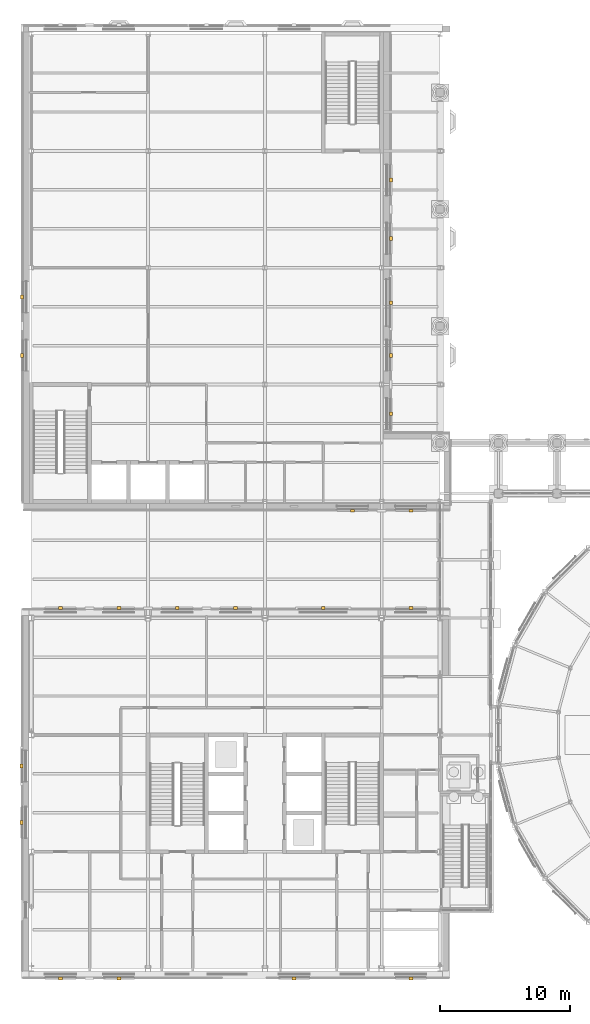
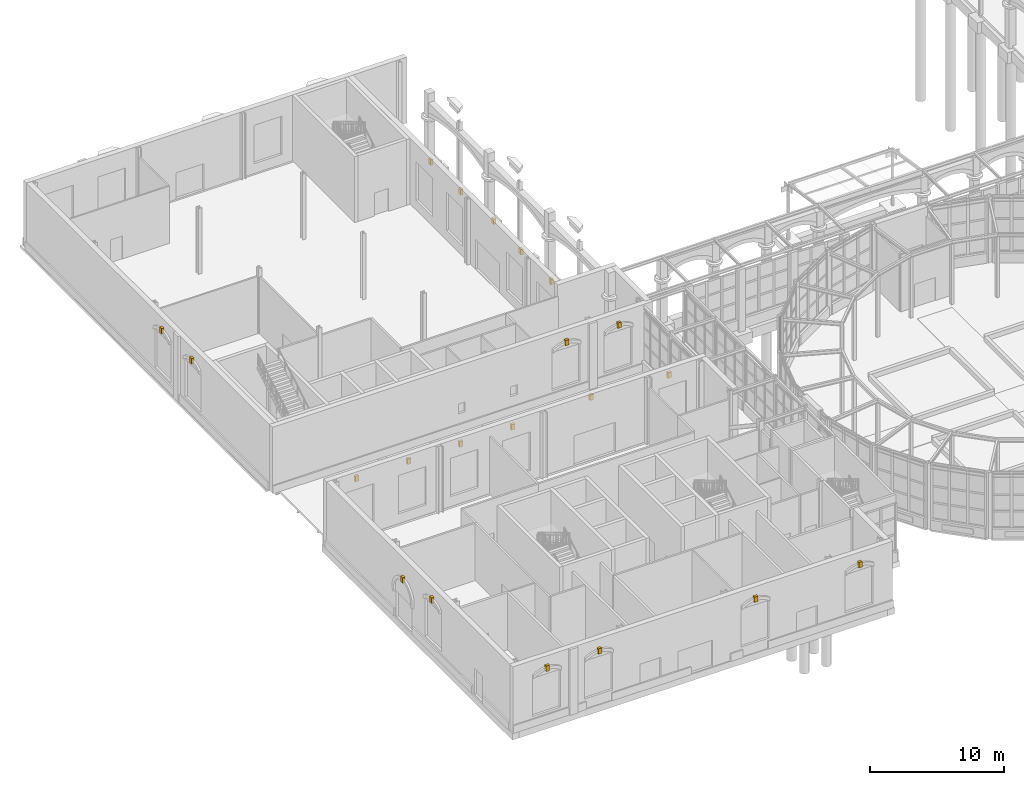
# One storey, part 102 of 106: 21 coverings.
"""IFC4 building model written with IfcOpenShell, lengths in metres."""

from ifc_helpers import new_model, si_unit, direction, frame, origin, origin_2d, place, context, subcontext, project, spatial, rectangle, extrude, material, layer, layer_set, type_object, element, save


model = new_model("IFC4")

# Units and contexts
model_context = context("Model", 3, precision=1e-05, world=origin(), true_north=direction((0.0, 1.0)))
body_context = subcontext(model_context, "Body", "Model", "MODEL_VIEW")
ifc_project = project(units=[si_unit("LENGTHUNIT", "METRE"), si_unit("AREAUNIT", "SQUARE_METRE"), si_unit("VOLUMEUNIT", "CUBIC_METRE"), si_unit("PLANEANGLEUNIT", "RADIAN"), si_unit("MASSUNIT", "GRAM", prefix="KILO")], contexts=[model_context])

# Site, building, storey
site_placement = place(None, origin())
site = spatial("IfcSite", under=ifc_project, at=site_placement, CompositionType="ELEMENT")
building_placement = place(site_placement, origin())
building = spatial("IfcBuilding", under=site, at=building_placement, Name="Hortulan Conservatory and Botanical Research Centre", CompositionType="ELEMENT")
storey_placement = place(building_placement, origin())
storey = spatial("IfcBuildingStorey", under=building, at=storey_placement, Name="L00", CompositionType="ELEMENT", Elevation=0.0)

# Coverings
ifc_material = material(Name="Sandstone masonry (Hawkesbury yellow block)", Category="masonry")
ifc_layer = layer(ifc_material, 0.219970703125)
ifc_layer_set = layer_set([ifc_layer], Name="Sandstone Keystone 300x500")
covering_type = type_object("IfcCoveringType", Name="Sandstone Keystone 300x500", PredefinedType="CLADDING", material=ifc_layer_set)
for number, where, z_axis, x_axis, name in (
    (1, (2.25, -0.77099609375, 4.7451171875), (0.0, 0.0, 1.0), (-1.0, 0.0, 0.0), "Keystone"),
    (2, (6.75, -0.77099609375, 4.7451171875), (0.0, 0.0, 1.0), (-1.0, 0.0, 0.0), "Keystone"),
    (3, (20.25, -0.77099609375, 4.7451171875), (0.0, 0.0, 1.0), (-1.0, 0.0, 0.0), "Keystone"),
    (4, (29.25, -0.77099609375, 4.7451171875), (0.0, 0.0, 1.0), (-1.0, 0.0, 0.0), "Keystone"),
    (5, (-0.760009765625, 11.25, 4.7451171875), (0.0, 0.0, 1.0), (0.0, 1.0, 0.0), "Keystone"),
    (6, (2.25, 27.77099609375, 4.7451171875), (0.0, 0.0, 1.0), (1.0, 0.0, 0.0), "Keystone"),
    (7, (6.75, 27.77099609375, 4.7451171875), (0.0, 0.0, 1.0), (1.0, 0.0, 0.0), "Keystone"),
    (8, (11.25, 27.77099609375, 4.7451171875), (0.0, 0.0, 1.0), (1.0, 0.0, 0.0), "Keystone"),
    (9, (15.75, 27.77099609375, 4.7451171875), (0.0, 0.0, 1.0), (1.0, 0.0, 0.0), "Keystone"),
    (10, (29.25, 27.77099609375, 4.7451171875), (0.0, 0.0, 1.0), (1.0, 0.0, 0.0), "Keystone"),
    (11, (-0.760009765625, 15.60009765625, 3.94677734375), (0.0, 0.0, 1.0), (0.0, 1.0, 0.0), "Keystone"),
    (12, (22.5, 27.77099609375, 5.072509765625), (0.0, 0.0, 1.0), (1.0, 0.0, 0.0), "Keystone"),
    (13, (24.75, 35.279541015625, 4.7451171875), (0.0, 0.0, 1.0), (-1.0, 0.0, 0.0), "Keystone"),
    (14, (29.25, 35.279541015625, 4.7451171875), (0.0, 0.0, 1.0), (-1.0, 0.0, 0.0), "Keystone"),
    (15, (-0.714599609375, 47.25, 4.7451171875), (0.0, 0.0, 1.0), (0.0, 1.0, 0.0), "Keystone"),
    (16, (-0.714599609375, 51.75, 4.7451171875), (0.0, 0.0, 1.0), (0.0, 1.0, 0.0), "Keystone"),
    (17, (27.714599609375, 42.75, 4.7451171875), (0.0, 0.0, 1.0), (0.0, -1.0, 0.0), "Keystone"),
    (18, (27.714599609375, 47.25, 4.7451171875), (0.0, 0.0, 1.0), (0.0, -1.0, 0.0), "Keystone"),
    (19, (27.714599609375, 56.25, 4.7451171875), (0.0, 0.0, 1.0), (0.0, -1.0, 0.0), "Keystone"),
    (20, (27.714599609375, 60.75, 4.7451171875), (0.0, 0.0, 1.0), (0.0, -1.0, 0.0), "Keystone"),
    (21, (27.714599609375, 51.300048828125, 5.072509765625), (0.0, 0.0, 1.0), (0.0, -1.0, 0.0), "Keystone"),
):
    element("IfcCovering", number, at=place(storey_placement, frame(where, z_axis=z_axis, x_axis=x_axis)), inside=storey, type_object=covering_type, Name=name, PredefinedType="CLADDING", context=body_context, shape_type="SweptSolid", body=[
        extrude(rectangle(XDim=0.300048828125, YDim=0.219970703125, at=origin_2d()), origin(), (0.0, 0.0, 1.0), 0.5),
    ])

save(model, "model.ifc")
